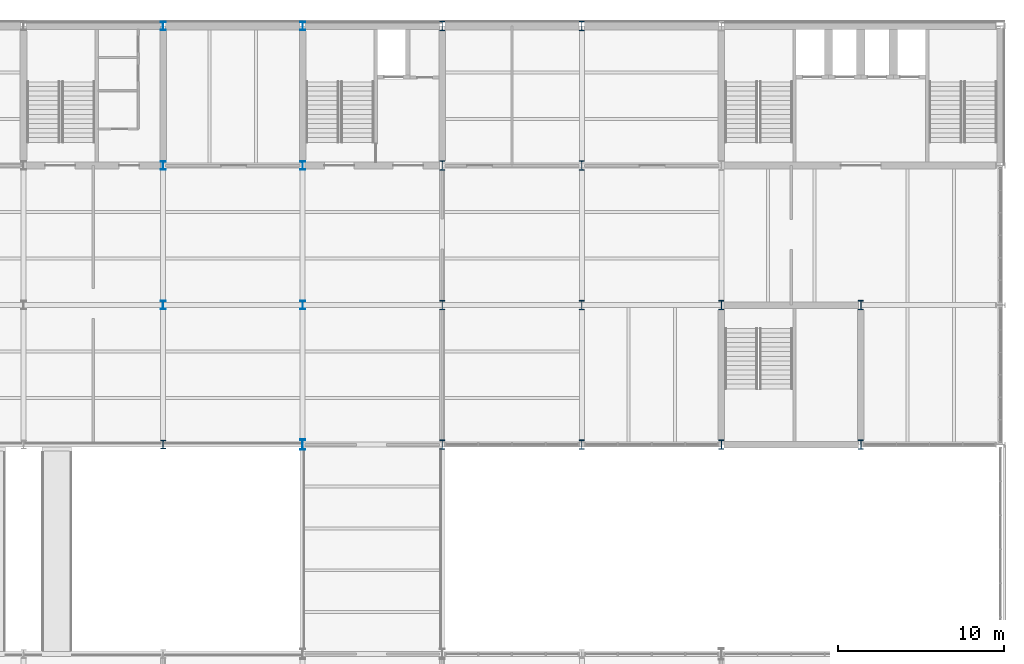
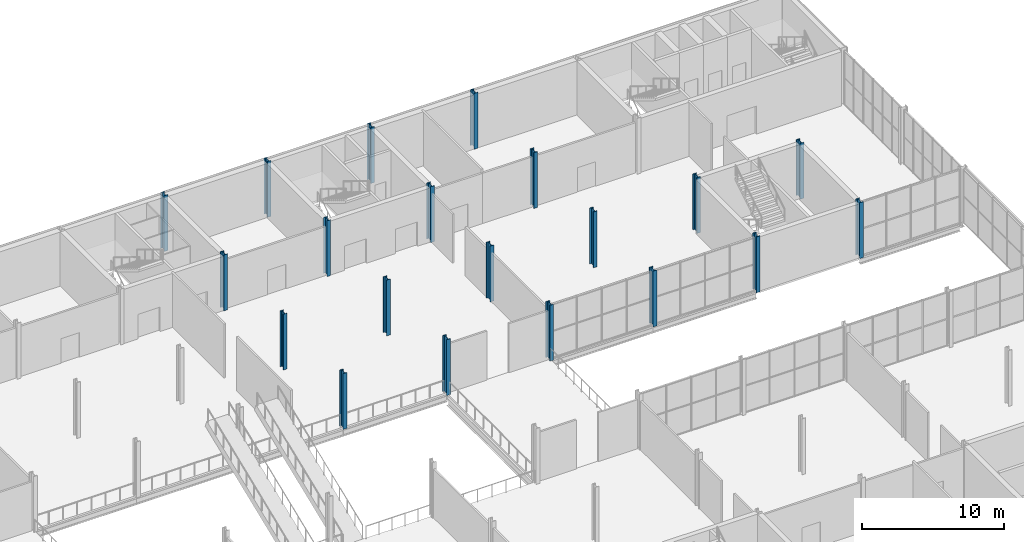
# One storey, part 7 of 61: 20 columns.
"""IFC4 building model written with IfcOpenShell, lengths in metres."""

from ifc_helpers import new_model, si_unit, direction, frame, origin, origin_2d, place, context, subcontext, project, spatial, i_section, extrude, material, material_profile, profile_set, type_object, element, save


model = new_model("IFC4")

# Units and contexts
model_context = context("Model", 3, precision=1e-05, world=origin(), true_north=direction((0.0, 1.0)))
body_context = subcontext(model_context, "Body", "Model", "MODEL_VIEW")
ifc_project = project(units=[si_unit("LENGTHUNIT", "METRE"), si_unit("AREAUNIT", "SQUARE_METRE"), si_unit("VOLUMEUNIT", "CUBIC_METRE"), si_unit("PLANEANGLEUNIT", "RADIAN"), si_unit("MASSUNIT", "GRAM", prefix="KILO")], contexts=[model_context])

# Site, building, storey
site_placement = place(None, origin())
site = spatial("IfcSite", under=ifc_project, at=site_placement, CompositionType="ELEMENT")
building_placement = place(site_placement, origin())
building = spatial("IfcBuilding", under=site, at=building_placement, Name="Galleria Vessillo Department Store", CompositionType="ELEMENT")
storey_placement = place(building_placement, frame((0.0, 0.0, 11.39990234375)))
storey = spatial("IfcBuildingStorey", under=building, at=storey_placement, Name="L02", CompositionType="ELEMENT", Elevation=11.39990234375)

# Columns
ifc_material_1 = material(Name="Steel S355 J2", Category="steel")
ifc_material_profile_1 = material_profile(ifc_material_1, i_section(OverallWidth=0.300048828125, OverallDepth=0.5, WebThickness=0.014404296875, FlangeThickness=0.028076171875, FilletRadius=0.027099609375, at=origin_2d()), Name="HEB 500")
ifc_profile_set_1 = profile_set([ifc_material_profile_1], Name="Steel S355 J2")
column_type_1 = type_object("IfcColumnType", Name="Steel column HEB 500 CP1", PredefinedType="COLUMN", material=ifc_profile_set_1)
for number, where, z_axis, x_axis, name in (
    (1, (67.199951171875, 46.199951171875, 0.0), (0.0, 0.0, 1.0), (1.0, 0.0, 0.0), "S-COL-L02-9-F"),
    (2, (67.199951171875, 54.60009765625, 0.0), (0.0, 0.0, 1.0), (1.0, 0.0, 0.0), "S-COL-L02-9-G"),
    (3, (67.199951171875, 63.0, 0.0), (0.0, 0.0, 1.0), (1.0, 0.0, 0.0), "S-COL-L02-9-H"),
    (4, (75.60009765625, 46.199951171875, 0.0), (0.0, 0.0, 1.0), (1.0, 0.0, 0.0), "S-COL-L02-10-F"),
    (5, (75.60009765625, 54.60009765625, 0.0), (0.0, 0.0, 1.0), (1.0, 0.0, 0.0), "S-COL-L02-10-G"),
    (6, (75.60009765625, 63.0, 0.0), (0.0, 0.0, 1.0), (1.0, 0.0, 0.0), "S-COL-L02-10-H"),
):
    element("IfcColumn", number, at=place(storey_placement, frame(where, z_axis=z_axis, x_axis=x_axis)), inside=storey, type_object=column_type_1, Name=name, PredefinedType="COLUMN", context=body_context, shape_type="SweptSolid", body=[
        extrude(i_section(OverallWidth=0.300048828125, OverallDepth=0.5, WebThickness=0.014404296875, FlangeThickness=0.028076171875, FilletRadius=0.027099609375, at=origin_2d()), origin(), (0.0, 0.0, 1.0), 4.800048828125),
    ])
ifc_material_2 = material(Name="Steel S355 J2", Category="steel")
ifc_material_profile_2 = material_profile(ifc_material_2, i_section(OverallWidth=0.305908203125, OverallDepth=0.52392578125, WebThickness=0.02099609375, FlangeThickness=0.0400390625, FilletRadius=0.027099609375, at=origin_2d()), Name="HEM 500")
ifc_profile_set_2 = profile_set([ifc_material_profile_2], Name="Steel S355 J2")
column_type_2 = type_object("IfcColumnType", Name="Steel column HEM 500 CV1", PredefinedType="COLUMN", material=ifc_profile_set_2)
column_1_placement = place(storey_placement, frame((67.199951171875, 37.800048828125, 0.0), z_axis=(0.0, 0.0, 1.0), x_axis=(1.0, 0.0, 0.0)))
element("IfcColumn", 7, at=column_1_placement, inside=storey, type_object=column_type_2, Name="S-COL-L02-9-E", PredefinedType="COLUMN", context=body_context, shape_type="SweptSolid", body=[
    extrude(i_section(OverallWidth=0.305908203125, OverallDepth=0.52392578125, WebThickness=0.02099609375, FlangeThickness=0.0400390625, FilletRadius=0.027099609375, at=origin_2d()), origin(), (0.0, 0.0, 1.0), 4.800048828125),
])
ifc_material_3 = material(Name="Steel S355 J2", Category="steel")
ifc_material_profile_3 = material_profile(ifc_material_3, i_section(OverallWidth=0.305908203125, OverallDepth=0.572021484375, WebThickness=0.02099609375, FlangeThickness=0.0400390625, FilletRadius=0.027099609375, at=origin_2d()), Name="HEM 550")
ifc_profile_set_3 = profile_set([ifc_material_profile_3], Name="Steel S355 J2")
column_type_3 = type_object("IfcColumnType", Name="Steel column HEM 550 CT1", PredefinedType="COLUMN", material=ifc_profile_set_3)
for number, where, z_axis, x_axis, name in (
    (8, (84.0, 37.800048828125, 0.0), (0.0, 0.0, 1.0), (1.0, 0.0, 0.0), "S-COL-L02-11-E"),
    (9, (84.0, 46.199951171875, 0.0), (0.0, 0.0, 1.0), (1.0, 0.0, 0.0), "S-COL-L02-11-F"),
    (10, (84.0, 54.60009765625, 0.0), (0.0, 0.0, 1.0), (1.0, 0.0, 0.0), "S-COL-L02-11-G"),
    (11, (84.0, 63.0, 0.0), (0.0, 0.0, 1.0), (1.0, 0.0, 0.0), "S-COL-L02-11-H"),
    (12, (92.39990234375, 37.800048828125, 0.0), (0.0, 0.0, 1.0), (1.0, 0.0, 0.0), "S-COL-L02-12-E"),
    (13, (92.39990234375, 46.199951171875, 0.0), (0.0, 0.0, 1.0), (1.0, 0.0, 0.0), "S-COL-L02-12-F"),
    (14, (92.39990234375, 54.60009765625, 0.0), (0.0, 0.0, 1.0), (1.0, 0.0, 0.0), "S-COL-L02-12-G"),
    (15, (92.39990234375, 63.0, 0.0), (0.0, 0.0, 1.0), (1.0, 0.0, 0.0), "S-COL-L02-12-H"),
    (16, (100.800048828125, 37.800048828125, 0.0), (0.0, 0.0, 1.0), (1.0, 0.0, 0.0), "S-COL-L02-13-E"),
    (17, (100.800048828125, 46.199951171875, 0.0), (0.0, 0.0, 1.0), (1.0, 0.0, 0.0), "S-COL-L02-13-F"),
    (18, (109.199951171875, 37.800048828125, 0.0), (0.0, 0.0, 1.0), (1.0, 0.0, 0.0), "S-COL-L02-14-E"),
    (19, (109.199951171875, 46.199951171875, 0.0), (0.0, 0.0, 1.0), (1.0, 0.0, 0.0), "S-COL-L02-14-F"),
):
    element("IfcColumn", number, at=place(storey_placement, frame(where, z_axis=z_axis, x_axis=x_axis)), inside=storey, type_object=column_type_3, Name=name, PredefinedType="COLUMN", context=body_context, shape_type="SweptSolid", body=[
        extrude(i_section(OverallWidth=0.305908203125, OverallDepth=0.572021484375, WebThickness=0.02099609375, FlangeThickness=0.0400390625, FilletRadius=0.027099609375, at=origin_2d()), origin(), (0.0, 0.0, 1.0), 4.800048828125),
    ])
ifc_material_4 = material(Name="Steel S355 J2", Category="steel")
ifc_material_profile_4 = material_profile(ifc_material_4, i_section(OverallWidth=0.304931640625, OverallDepth=0.6201171875, WebThickness=0.02099609375, FlangeThickness=0.0400390625, FilletRadius=0.027099609375, at=origin_2d()), Name="HEM 600")
ifc_profile_set_4 = profile_set([ifc_material_profile_4], Name="Steel S355 J2")
column_type_4 = type_object("IfcColumnType", Name="Steel column HEM 600 CV2", PredefinedType="COLUMN", material=ifc_profile_set_4)
column_2_placement = place(storey_placement, frame((75.60009765625, 37.800048828125, 0.0), z_axis=(0.0, 0.0, 1.0), x_axis=(1.0, 0.0, 0.0)))
element("IfcColumn", 20, at=column_2_placement, inside=storey, type_object=column_type_4, Name="S-COL-L02-10-E", PredefinedType="COLUMN", context=body_context, shape_type="SweptSolid", body=[
    extrude(i_section(OverallWidth=0.304931640625, OverallDepth=0.6201171875, WebThickness=0.02099609375, FlangeThickness=0.0400390625, FilletRadius=0.027099609375, at=origin_2d()), origin(), (0.0, 0.0, 1.0), 4.800048828125),
])

save(model, "model.ifc")
